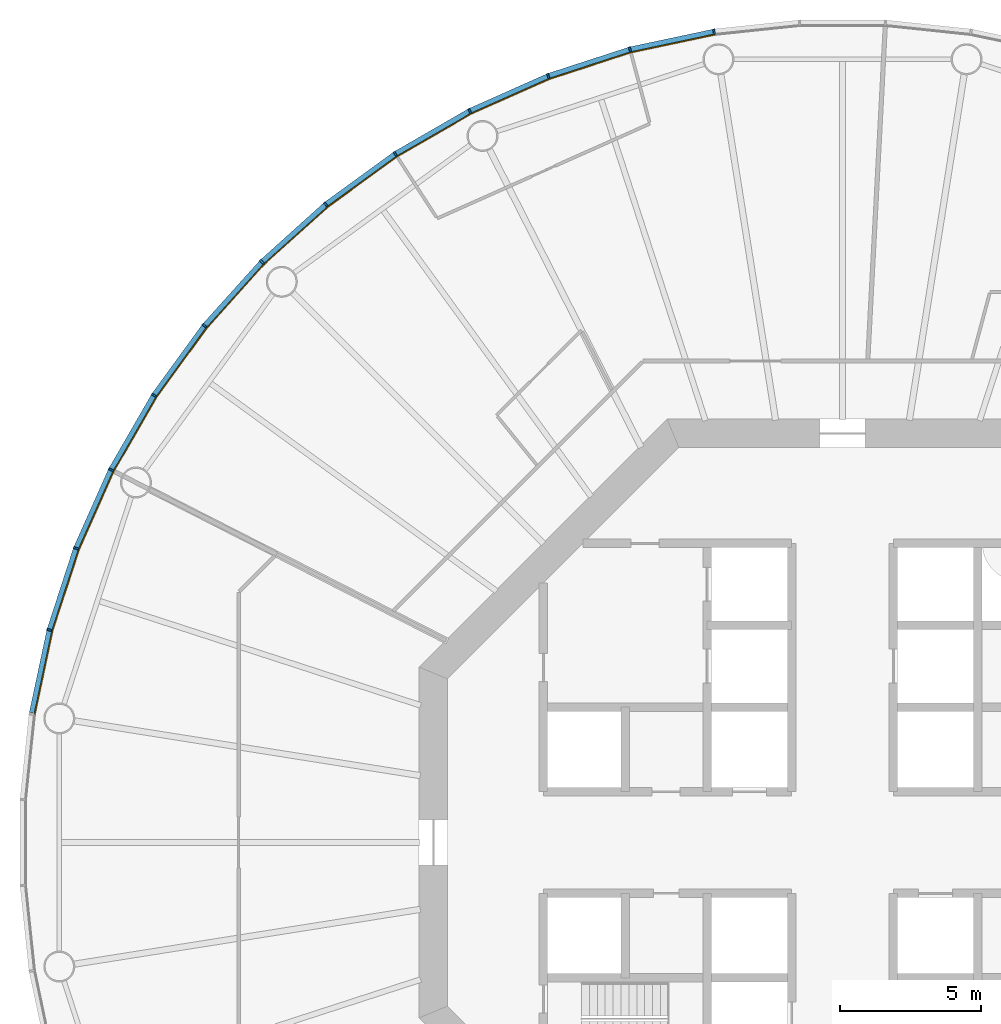
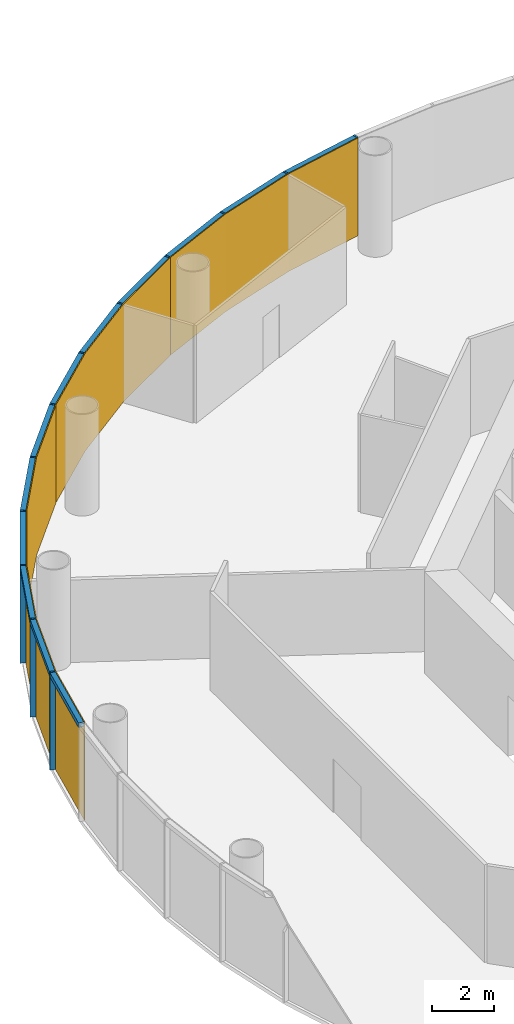
# One storey, part 10 of 13: 24 members, 4 curtain walls.
"""IFC4 building model written with IfcOpenShell, lengths in metres."""

from ifc_helpers import new_model, si_unit, direction, frame, origin, origin_2d, place, context, subcontext, project, spatial, polyline, rectangle, outline, extrude, material, layer, layer_set, material_profile, profile_set, type_object, element, aggregate, save


model = new_model("IFC4")

# Units and contexts
model_context = context("Model", 3, precision=1e-05, world=origin(), true_north=direction((0.0, 1.0)))
body_context = subcontext(model_context, "Body", "Model", "MODEL_VIEW")
ifc_project = project(units=[si_unit("LENGTHUNIT", "METRE"), si_unit("AREAUNIT", "SQUARE_METRE"), si_unit("VOLUMEUNIT", "CUBIC_METRE"), si_unit("PLANEANGLEUNIT", "RADIAN"), si_unit("MASSUNIT", "GRAM", prefix="KILO")], contexts=[model_context])

# Member
ifc_material_1 = material(Name="Anodised aluminium", Category="aluminium")
ifc_material_profile_1 = material_profile(ifc_material_1, rectangle(XDim=0.06494140625, YDim=0.18505859375, at=origin_2d()), Name="Mullion 65 x 185 mm anodised aluminium")
ifc_profile_set_1 = profile_set([ifc_material_profile_1], Name="Anodised aluminium")
member_type_1 = type_object("IfcMemberType", Name="Mullion 65 x 185 mm anodised aluminium", PredefinedType="MULLION", material=ifc_profile_set_1)
site_placement = place(None, origin())
building_placement = place(site_placement, origin())
storey_placement = place(building_placement, frame((0.0, 0.0, 172.0)))
member_1_placement = place(storey_placement, frame((85.448974609375, 108.734375, 0.0), z_axis=(0.0, 0.0, 1.0), x_axis=(-0.987688340595, -0.15643446504, 0.0)))
member_1 = element("IfcMember", 1, at=member_1_placement, type_object=member_type_1, Name="MULLION L39-15", PredefinedType="MULLION", context=body_context, shape_type="SweptSolid", body=[
    extrude(rectangle(XDim=0.06494140625, YDim=0.18505859375, at=origin_2d()), origin(), (0.0, 0.0, 1.0), 3.85009765625),
])

member_2_placement = place(storey_placement, frame((82.47021484375, 108.101318359375, 0.0), z_axis=(0.0, 0.0, 1.0), x_axis=(-0.965925826289, -0.258819045103, 0.0)))
member_2 = element("IfcMember", 2, at=member_2_placement, type_object=member_type_1, Name="MULLION L39-16", PredefinedType="MULLION", context=body_context, shape_type="SweptSolid", body=[
    extrude(rectangle(XDim=0.06494140625, YDim=0.18505859375, at=origin_2d()), origin(), (0.0, 0.0, 1.0), 3.85009765625),
])

member_3_placement = place(storey_placement, frame((79.57421875, 107.16015625, 0.0), z_axis=(0.0, 0.0, 1.0), x_axis=(-0.933580426497, -0.358367949545, 0.0)))
member_3 = element("IfcMember", 3, at=member_3_placement, type_object=member_type_1, Name="MULLION L39-17", PredefinedType="MULLION", context=body_context, shape_type="SweptSolid", body=[
    extrude(rectangle(XDim=0.06494140625, YDim=0.18505859375, at=origin_2d()), origin(), (0.0, 0.0, 1.0), 3.85009765625),
])

member_4_placement = place(storey_placement, frame((76.792236328125, 105.921630859375, 0.0), z_axis=(0.0, 0.0, 1.0), x_axis=(-0.891006524188, -0.45399049974, 0.0)))
member_4 = element("IfcMember", 4, at=member_4_placement, type_object=member_type_1, Name="MULLION L39-18", PredefinedType="MULLION", context=body_context, shape_type="SweptSolid", body=[
    extrude(rectangle(XDim=0.06494140625, YDim=0.18505859375, at=origin_2d()), origin(), (0.0, 0.0, 1.0), 3.85009765625),
])

member_5_placement = place(storey_placement, frame((74.155029296875, 104.39892578125, 0.0), z_axis=(0.0, 0.0, 1.0), x_axis=(-0.838670567945, -0.544639035015, 0.0)))
member_5 = element("IfcMember", 5, at=member_5_placement, type_object=member_type_1, Name="MULLION L39-19", PredefinedType="MULLION", context=body_context, shape_type="SweptSolid", body=[
    extrude(rectangle(XDim=0.06494140625, YDim=0.18505859375, at=origin_2d()), origin(), (0.0, 0.0, 1.0), 3.85009765625),
])

member_6_placement = place(storey_placement, frame((71.69140625, 102.609130859375, 0.0), z_axis=(0.0, 0.0, 1.0), x_axis=(-0.777145961457, -0.62932039105, 0.0)))
member_6 = element("IfcMember", 6, at=member_6_placement, type_object=member_type_1, Name="MULLION L39-20", PredefinedType="MULLION", context=body_context, shape_type="SweptSolid", body=[
    extrude(rectangle(XDim=0.06494140625, YDim=0.18505859375, at=origin_2d()), origin(), (0.0, 0.0, 1.0), 3.85009765625),
])

member_7_placement = place(storey_placement, frame((69.428466796875, 100.571533203125, 0.0), z_axis=(0.0, 0.0, 1.0), x_axis=(-0.707106781187, -0.707106781187, 0.0)))
member_7 = element("IfcMember", 7, at=member_7_placement, type_object=member_type_1, Name="MULLION L39-21", PredefinedType="MULLION", context=body_context, shape_type="SweptSolid", body=[
    extrude(rectangle(XDim=0.06494140625, YDim=0.18505859375, at=origin_2d()), origin(), (0.0, 0.0, 1.0), 3.85009765625),
])

member_8_placement = place(storey_placement, frame((67.390869140625, 98.30859375, 0.0), z_axis=(0.0, 0.0, 1.0), x_axis=(-0.62932039105, -0.777145961457, 0.0)))
member_8 = element("IfcMember", 8, at=member_8_placement, type_object=member_type_1, Name="MULLION L39-22", PredefinedType="MULLION", context=body_context, shape_type="SweptSolid", body=[
    extrude(rectangle(XDim=0.06494140625, YDim=0.18505859375, at=origin_2d()), origin(), (0.0, 0.0, 1.0), 3.85009765625),
])

member_9_placement = place(storey_placement, frame((65.60107421875, 95.844970703125, 0.0), z_axis=(0.0, 0.0, 1.0), x_axis=(-0.544639035015, -0.838670567945, 0.0)))
member_9 = element("IfcMember", 9, at=member_9_placement, type_object=member_type_1, Name="MULLION L39-23", PredefinedType="MULLION", context=body_context, shape_type="SweptSolid", body=[
    extrude(rectangle(XDim=0.06494140625, YDim=0.18505859375, at=origin_2d()), origin(), (0.0, 0.0, 1.0), 3.85009765625),
])

member_10_placement = place(storey_placement, frame((64.078369140625, 93.207763671875, 0.0), z_axis=(0.0, 0.0, 1.0), x_axis=(-0.45399049974, -0.891006524188, 0.0)))
member_10 = element("IfcMember", 10, at=member_10_placement, type_object=member_type_1, Name="MULLION L39-24", PredefinedType="MULLION", context=body_context, shape_type="SweptSolid", body=[
    extrude(rectangle(XDim=0.06494140625, YDim=0.18505859375, at=origin_2d()), origin(), (0.0, 0.0, 1.0), 3.85009765625),
])

member_11_placement = place(storey_placement, frame((62.83984375, 90.42578125, 0.0), z_axis=(0.0, 0.0, 1.0), x_axis=(-0.358367949545, -0.933580426497, 0.0)))
member_11 = element("IfcMember", 11, at=member_11_placement, type_object=member_type_1, Name="MULLION L39-25", PredefinedType="MULLION", context=body_context, shape_type="SweptSolid", body=[
    extrude(rectangle(XDim=0.06494140625, YDim=0.18505859375, at=origin_2d()), origin(), (0.0, 0.0, 1.0), 3.85009765625),
])

member_12_placement = place(storey_placement, frame((61.898681640625, 87.52978515625, 0.0), z_axis=(0.0, 0.0, 1.0), x_axis=(-0.258819045103, -0.965925826289, 0.0)))
member_12 = element("IfcMember", 12, at=member_12_placement, type_object=member_type_1, Name="MULLION L39-26", PredefinedType="MULLION", context=body_context, shape_type="SweptSolid", body=[
    extrude(rectangle(XDim=0.06494140625, YDim=0.18505859375, at=origin_2d()), origin(), (0.0, 0.0, 1.0), 3.85009765625),
])

ifc_material_2 = material(Name="Anodised aluminium", Category="aluminium")
ifc_material_profile_2 = material_profile(ifc_material_2, rectangle(XDim=0.18505859375, YDim=0.175048828125, at=origin_2d()), Name="Transom 175 x 185 mm anodised aluminium")
ifc_profile_set_2 = profile_set([ifc_material_profile_2], Name="Anodised aluminium")
member_type_2 = type_object("IfcMemberType", Name="Transom 175 x 185 mm anodised aluminium", PredefinedType="USERDEFINED", material=ifc_profile_set_2)
member_13_placement = place(storey_placement, frame((85.412353515625, 108.7265625, 3.762451171875), z_axis=(-0.97815822425, -0.207861704825, 0.0), x_axis=(0.207861704825, -0.97815822425, 0.0)))
member_13 = element("IfcMember", 13, at=member_13_placement, type_object=member_type_2, Name="TRANSOM L39-15", ObjectType="TRANSOM", PredefinedType="USERDEFINED", context=body_context, shape_type="SweptSolid", body=[
    extrude(rectangle(XDim=0.18505859375, YDim=0.175048828125, at=origin_2d()), origin(), (0.0, 0.0, 1.0), 2.970458984375),
])

member_14_placement = place(storey_placement, frame((82.434814453125, 108.08984375, 3.762451171875), z_axis=(-0.951055809184, -0.30901917063, 0.0), x_axis=(0.30901917063, -0.951055809184, 0.0)))
member_14 = element("IfcMember", 14, at=member_14_placement, type_object=member_type_2, Name="TRANSOM L39-16", ObjectType="TRANSOM", PredefinedType="USERDEFINED", context=body_context, shape_type="SweptSolid", body=[
    extrude(rectangle(XDim=0.18505859375, YDim=0.175048828125, at=origin_2d()), origin(), (0.0, 0.0, 1.0), 2.970703125),
])

member_15_placement = place(storey_placement, frame((79.5400390625, 107.14501953125, 3.762451171875), z_axis=(-0.913567348806, -0.406687471156, 0.0), x_axis=(0.406687471156, -0.913567348806, 0.0)))
member_15 = element("IfcMember", 15, at=member_15_placement, type_object=member_type_2, Name="TRANSOM L39-17", ObjectType="TRANSOM", PredefinedType="USERDEFINED", context=body_context, shape_type="SweptSolid", body=[
    extrude(rectangle(XDim=0.18505859375, YDim=0.175048828125, at=origin_2d()), origin(), (0.0, 0.0, 1.0), 2.970458984375),
])

member_16_placement = place(storey_placement, frame((76.759765625, 105.903076171875, 3.762451171875), z_axis=(-0.866009025146, -0.500028367561, 0.0), x_axis=(0.500028367561, -0.866009025146, 0.0)))
member_16 = element("IfcMember", 16, at=member_16_placement, type_object=member_type_2, Name="TRANSOM L39-18", ObjectType="TRANSOM", PredefinedType="USERDEFINED", context=body_context, shape_type="SweptSolid", body=[
    extrude(rectangle(XDim=0.18505859375, YDim=0.175048828125, at=origin_2d()), origin(), (0.0, 0.0, 1.0), 2.970458984375),
])

member_17_placement = place(storey_placement, frame((74.124755859375, 104.377197265625, 3.762451171875), z_axis=(-0.808991906087, -0.587819781808, 0.0), x_axis=(0.587819781808, -0.808991906087, 0.0)))
member_17 = element("IfcMember", 17, at=member_17_placement, type_object=member_type_2, Name="TRANSOM L39-19", ObjectType="TRANSOM", PredefinedType="USERDEFINED", context=body_context, shape_type="SweptSolid", body=[
    extrude(rectangle(XDim=0.18505859375, YDim=0.175048828125, at=origin_2d()), origin(), (0.0, 0.0, 1.0), 2.970458984375),
])

member_18_placement = place(storey_placement, frame((71.66357421875, 102.584228515625, 3.762451171875), z_axis=(-0.743163354343, -0.669110027395, 0.0), x_axis=(0.669110027395, -0.743163354343, 0.0)))
member_18 = element("IfcMember", 18, at=member_18_placement, type_object=member_type_2, Name="TRANSOM L39-20", ObjectType="TRANSOM", PredefinedType="USERDEFINED", context=body_context, shape_type="SweptSolid", body=[
    extrude(rectangle(XDim=0.18505859375, YDim=0.175048828125, at=origin_2d()), origin(), (0.0, 0.0, 1.0), 2.970458984375),
])

member_19_placement = place(storey_placement, frame((69.4033203125, 100.5439453125, 3.762451171875), z_axis=(-0.669110027395, -0.743163354343, 0.0), x_axis=(0.743163354343, -0.669110027395, 0.0)))
member_19 = element("IfcMember", 19, at=member_19_placement, type_object=member_type_2, Name="TRANSOM L39-21", ObjectType="TRANSOM", PredefinedType="USERDEFINED", context=body_context, shape_type="SweptSolid", body=[
    extrude(rectangle(XDim=0.18505859375, YDim=0.175048828125, at=origin_2d()), origin(), (0.0, 0.0, 1.0), 2.970458984375),
])

member_20_placement = place(storey_placement, frame((67.368896484375, 98.2783203125, 3.762451171875), z_axis=(-0.587819781808, -0.808991906087, 0.0), x_axis=(0.808991906087, -0.587819781808, 0.0)))
member_20 = element("IfcMember", 20, at=member_20_placement, type_object=member_type_2, Name="TRANSOM L39-22", ObjectType="TRANSOM", PredefinedType="USERDEFINED", context=body_context, shape_type="SweptSolid", body=[
    extrude(rectangle(XDim=0.18505859375, YDim=0.175048828125, at=origin_2d()), origin(), (0.0, 0.0, 1.0), 2.970458984375),
])

member_21_placement = place(storey_placement, frame((65.582275390625, 95.812744140625, 3.762451171875), z_axis=(-0.500028367561, -0.866009025146, 0.0), x_axis=(0.866009025146, -0.500028367561, 0.0)))
member_21 = element("IfcMember", 21, at=member_21_placement, type_object=member_type_2, Name="TRANSOM L39-23", ObjectType="TRANSOM", PredefinedType="USERDEFINED", context=body_context, shape_type="SweptSolid", body=[
    extrude(rectangle(XDim=0.18505859375, YDim=0.175048828125, at=origin_2d()), origin(), (0.0, 0.0, 1.0), 2.970458984375),
])

member_22_placement = place(storey_placement, frame((64.06298828125, 93.173583984375, 3.762451171875), z_axis=(-0.406687471156, -0.913567348806, 0.0), x_axis=(0.913567348806, -0.406687471156, 0.0)))
member_22 = element("IfcMember", 22, at=member_22_placement, type_object=member_type_2, Name="TRANSOM L39-24", ObjectType="TRANSOM", PredefinedType="USERDEFINED", context=body_context, shape_type="SweptSolid", body=[
    extrude(rectangle(XDim=0.18505859375, YDim=0.175048828125, at=origin_2d()), origin(), (0.0, 0.0, 1.0), 2.970458984375),
])

member_23_placement = place(storey_placement, frame((62.828125, 90.390380859375, 3.762451171875), z_axis=(-0.30901917063, -0.951055809184, 0.0), x_axis=(0.951055809184, -0.30901917063, 0.0)))
member_23 = element("IfcMember", 23, at=member_23_placement, type_object=member_type_2, Name="TRANSOM L39-25", ObjectType="TRANSOM", PredefinedType="USERDEFINED", context=body_context, shape_type="SweptSolid", body=[
    extrude(rectangle(XDim=0.18505859375, YDim=0.175048828125, at=origin_2d()), origin(), (0.0, 0.0, 1.0), 2.970703125),
])

member_24_placement = place(storey_placement, frame((61.890869140625, 87.4931640625, 3.762451171875), z_axis=(-0.207861704825, -0.97815822425, 0.0), x_axis=(0.97815822425, -0.207861704825, 0.0)))
member_24 = element("IfcMember", 24, at=member_24_placement, type_object=member_type_2, Name="TRANSOM L39-26", ObjectType="TRANSOM", PredefinedType="USERDEFINED", context=body_context, shape_type="SweptSolid", body=[
    extrude(rectangle(XDim=0.18505859375, YDim=0.175048828125, at=origin_2d()), origin(), (0.0, 0.0, 1.0), 2.970458984375),
])

# Site, building, storey
site = spatial("IfcSite", under=ifc_project, at=site_placement, CompositionType="ELEMENT")
building = spatial("IfcBuilding", under=site, at=building_placement, Name="Entoto Ring Tower", CompositionType="ELEMENT")
storey = spatial("IfcBuildingStorey", under=building, at=storey_placement, Name="L39", CompositionType="ELEMENT", Elevation=172.0)

# Curtain wall
ifc_material_3 = material(Name="Clear low-iron glass", Category="glass")
ifc_layer = layer(ifc_material_3, 0.033935546875)
ifc_layer_set = layer_set([ifc_layer], Name="Clear low-iron glass")
curtain_wall_type = type_object("IfcCurtainWallType", Name="Curtain wall system CW3 glazing 34 mm", PredefinedType="NOTDEFINED", material=ifc_layer_set)
curtain_wall_1_placement = place(storey_placement, origin())
curtain_wall_1 = element("IfcCurtainWall", 25, at=curtain_wall_1_placement, inside=storey, type_object=curtain_wall_type, Name="CW3 L39-06", PredefinedType="NOTDEFINED", context=body_context, shape_type="SweptSolid", body=[
    extrude(outline(polyline([(85.46337890625, 108.64306640625), (82.494140625, 108.011962890625), (79.607421875, 107.07373046875), (76.834228515625, 105.839111328125), (76.849853515625, 105.808837890625), (79.61962890625, 107.0419921875), (82.503173828125, 107.97900390625), (85.46875, 108.609375), (85.46337890625, 108.64306640625)])), origin(), (0.0, 0.0, 1.0), 3.85009765625),
])

aggregate(curtain_wall_1, [member_1, member_2, member_3, member_13, member_14, member_15])

curtain_wall_2_placement = place(storey_placement, origin())
curtain_wall_2 = element("IfcCurtainWall", 26, at=curtain_wall_2_placement, inside=storey, type_object=curtain_wall_type, Name="CW3 L39-07", PredefinedType="NOTDEFINED", context=body_context, shape_type="SweptSolid", body=[
    extrude(outline(polyline([(76.834228515625, 105.839111328125), (74.20556640625, 104.321533203125), (71.749755859375, 102.537353515625), (69.493896484375, 100.506103515625), (69.51806640625, 100.48193359375), (71.771240234375, 102.5107421875), (74.22412109375, 104.29296875), (76.849853515625, 105.808837890625), (76.834228515625, 105.839111328125)])), origin(), (0.0, 0.0, 1.0), 3.85009765625),
])

aggregate(curtain_wall_2, [member_4, member_5, member_6, member_16, member_17, member_18])

curtain_wall_3_placement = place(storey_placement, origin())
curtain_wall_3 = element("IfcCurtainWall", 27, at=curtain_wall_3_placement, inside=storey, type_object=curtain_wall_type, Name="CW3 L39-08", PredefinedType="NOTDEFINED", context=body_context, shape_type="SweptSolid", body=[
    extrude(outline(polyline([(69.493896484375, 100.506103515625), (67.462646484375, 98.250244140625), (65.678466796875, 95.79443359375), (64.160888671875, 93.165771484375), (64.191162109375, 93.150146484375), (65.70703125, 95.77587890625), (67.4892578125, 98.228759765625), (69.51806640625, 100.48193359375), (69.493896484375, 100.506103515625)])), origin(), (0.0, 0.0, 1.0), 3.85009765625),
])

aggregate(curtain_wall_3, [member_7, member_8, member_9, member_19, member_20, member_21])

curtain_wall_4_placement = place(storey_placement, origin())
curtain_wall_4 = element("IfcCurtainWall", 28, at=curtain_wall_4_placement, inside=storey, type_object=curtain_wall_type, Name="CW3 L39-09", PredefinedType="NOTDEFINED", context=body_context, shape_type="SweptSolid", body=[
    extrude(outline(polyline([(64.160888671875, 93.165771484375), (62.92626953125, 90.392578125), (61.988037109375, 87.505859375), (61.35693359375, 84.53662109375), (61.390625, 84.53125), (62.02099609375, 87.496826171875), (62.9580078125, 90.38037109375), (64.191162109375, 93.150146484375), (64.160888671875, 93.165771484375)])), origin(), (0.0, 0.0, 1.0), 3.85009765625),
])

aggregate(curtain_wall_4, [member_10, member_11, member_12, member_22, member_23, member_24])

save(model, "model.ifc")
